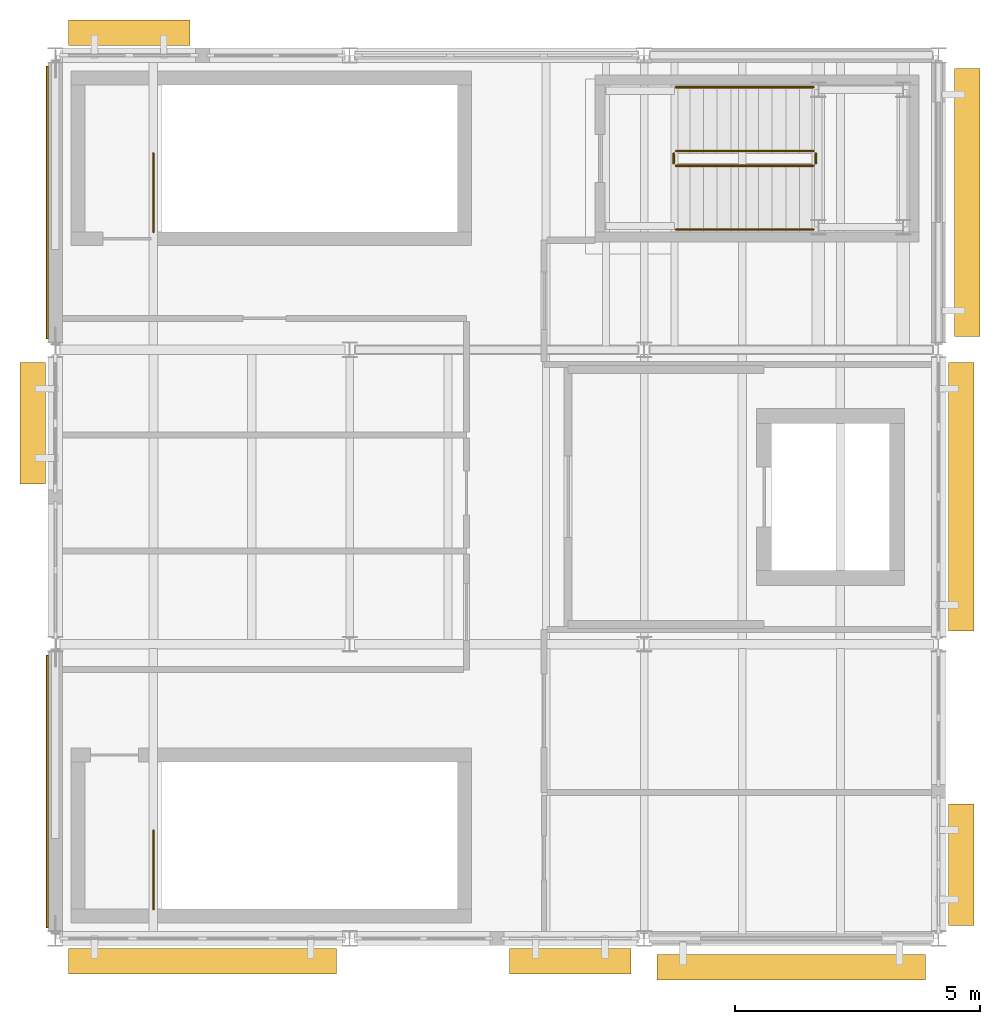
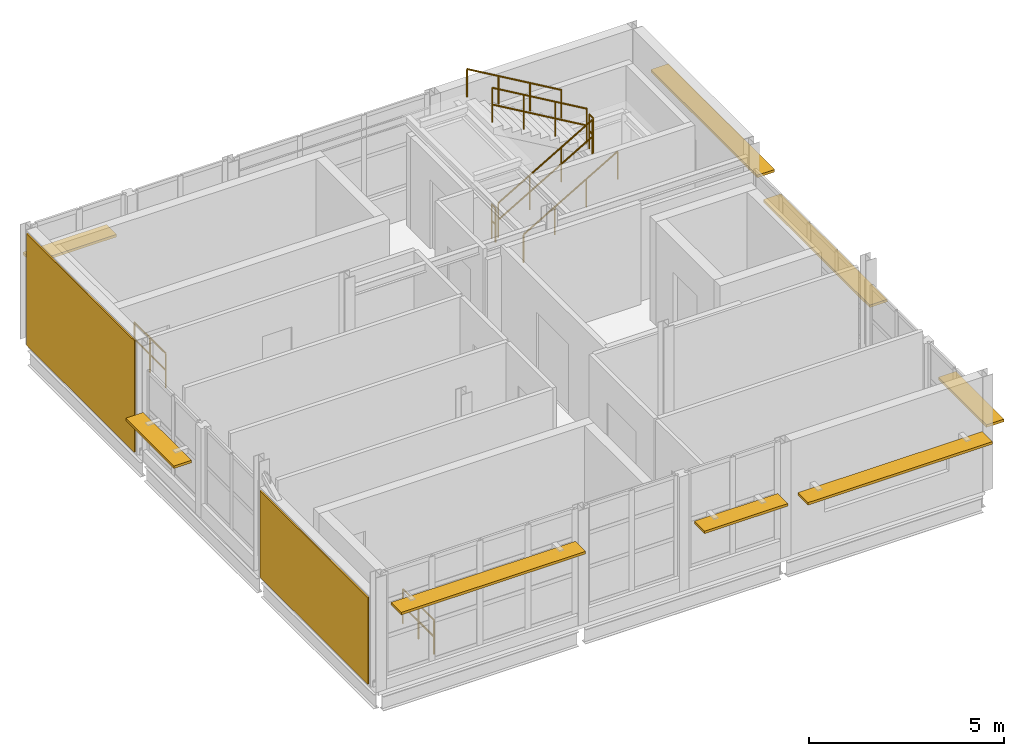
# One storey, part 8 of 8: 8 railings, 8 shading devices, 2 coverings.
"""IFC4 building model written with IfcOpenShell, lengths in metres."""

from ifc_helpers import new_model, si_unit, direction, frame, origin, origin_2d, place, context, subcontext, project, spatial, rectangle, circle, extrude, material, layer, layer_set, type_object, element, save


model = new_model("IFC4")

# Units and contexts
model_context = context("Model", 3, precision=1e-05, world=origin(), true_north=direction((0.0, 1.0)))
body_context = subcontext(model_context, "Body", "Model", "MODEL_VIEW")
ifc_project = project(units=[si_unit("LENGTHUNIT", "METRE"), si_unit("AREAUNIT", "SQUARE_METRE"), si_unit("VOLUMEUNIT", "CUBIC_METRE"), si_unit("PLANEANGLEUNIT", "RADIAN"), si_unit("MASSUNIT", "GRAM", prefix="KILO")], contexts=[model_context])

# Site, building, storey
site_placement = place(None, origin())
site = spatial("IfcSite", under=ifc_project, at=site_placement, CompositionType="ELEMENT")
building_placement = place(site_placement, origin())
building = spatial("IfcBuilding", under=site, at=building_placement, Name="Siltcreek Boulevard Central Fire Station", CompositionType="ELEMENT")
storey_placement = place(building_placement, frame((0.0, 0.0, 21.60009765625)))
storey = spatial("IfcBuildingStorey", under=building, at=storey_placement, Name="L06", CompositionType="ELEMENT", Elevation=21.60009765625)

# Coverings
ifc_material_1 = material(Name="Crisp white ribbed aluminum facade panel", Category="aluminium")
ifc_layer_1 = layer(ifc_material_1, 0.0400390625, Name="Crisp white ribbed aluminum facade panel")
ifc_layer_set_1 = layer_set([ifc_layer_1], Name="Crisp white ribbed aluminum facade panel")
covering_type = type_object("IfcCoveringType", Name="COV_CLAD_WHITE", PredefinedType="CLADDING", material=ifc_layer_set_1)
covering_1_placement = place(storey_placement, frame((41.8369140625, 97.199951171875, 0.0498046875), z_axis=(0.0, 0.0, 1.0), x_axis=(0.0, -1.0, 0.0)))
element("IfcCovering", 1, at=covering_1_placement, inside=storey, type_object=covering_type, Name="L06 V3 ventilated facade cladding panel CL-018", PredefinedType="CLADDING", context=body_context, shape_type="SweptSolid", body=[
    extrude(rectangle(XDim=5.550048828125, YDim=0.0400390625, at=origin_2d()), origin(), (0.0, 0.0, 1.0), 2.712890625),
])
covering_2_placement = place(storey_placement, frame((41.8369140625, 109.199951171875, 0.0498046875), z_axis=(0.0, 0.0, 1.0), x_axis=(0.0, -1.0, 0.0)))
element("IfcCovering", 2, at=covering_2_placement, inside=storey, type_object=covering_type, Name="L06 V3 ventilated facade cladding panel CL-019", PredefinedType="CLADDING", context=body_context, shape_type="SweptSolid", body=[
    extrude(rectangle(XDim=5.550048828125, YDim=0.0400390625, at=origin_2d()), origin(), (0.0, 0.0, 1.0), 3.5),
])

# Railings
ifc_material_2 = material(Name="Painted galvanized steel stair guard", Category="steel")
railing_type_1 = type_object("IfcRailingType", Name="RL_ST_GUARD", PredefinedType="BALUSTRADE", material=ifc_material_2)
for number, where, name in (
    (3, (44.0, 94.800048828125, 0.0), "L06 ST-V3A top well guard 1"),
    (4, (44.0, 108.60009765625, 0.0), "L06 ST-V3B top well guard 1"),
):
    element("IfcRailing", number, at=place(storey_placement, frame(where)), inside=storey, type_object=railing_type_1, Name=name, PredefinedType="BALUSTRADE", context=body_context, shape_type="SweptSolid", body=[
        extrude(circle(Radius=0.02392578125, at=origin_2d()), frame((0.0, 0.0, 1.076171875), z_axis=(0.0, 1.0, 0.0), x_axis=(-1.0, 0.0, 0.0)), (0.0, 0.0, 1.0), 1.599853515625),
        extrude(circle(Radius=0.02392578125, at=origin_2d()), frame((0.0, 0.0, 0.550048828125), z_axis=(0.0, 1.0, 0.0), x_axis=(-1.0, 0.0, 0.0)), (0.0, 0.0, 1.0), 1.599853515625),
        extrude(circle(Radius=0.02099609375, at=origin_2d()), origin(), (0.0, 0.0, 1.0), 1.052001953125),
        extrude(circle(Radius=0.02099609375, at=origin_2d()), frame((0.0, 0.7998046875, 0.0)), (0.0, 0.0, 1.0), 1.052001953125),
        extrude(circle(Radius=0.02099609375, at=origin_2d()), frame((0.0, 1.599853515625, 0.0)), (0.0, 0.0, 1.0), 1.052001953125),
    ])
railing_1_placement = place(storey_placement, frame((54.64990234375, 109.949951171875, 0.16357421875)))
element("IfcRailing", 5, at=railing_1_placement, inside=storey, type_object=railing_type_1, Name="L06 ST-V3-RF stair guard 1", PredefinedType="BALUSTRADE", context=body_context, shape_type="SweptSolid", body=[
    extrude(circle(Radius=0.02392578125, at=origin_2d()), frame((0.0, 0.0, 1.076171875), z_axis=(0.863393664356, 0.0, 0.504530851732), x_axis=(0.0, 1.0, 0.0)), (0.0, 0.0, 1.0), 3.2431640625),
    extrude(circle(Radius=0.02392578125, at=origin_2d()), frame((0.0, 0.0, 0.550048828125), z_axis=(0.863393664356, 0.0, 0.504530851732), x_axis=(0.0, 1.0, 0.0)), (0.0, 0.0, 1.0), 3.2431640625),
    extrude(circle(Radius=0.02099609375, at=origin_2d()), origin(), (0.0, 0.0, 1.0), 1.052001953125),
    extrude(circle(Radius=0.02099609375, at=origin_2d()), frame((0.933349609375, 0.0, 0.54541015625)), (0.0, 0.0, 1.0), 1.052001953125),
    extrude(circle(Radius=0.02099609375, at=origin_2d()), frame((1.86669921875, 0.0, 1.0908203125)), (0.0, 0.0, 1.0), 1.052001953125),
    extrude(circle(Radius=0.02099609375, at=origin_2d()), frame((2.800048828125, 0.0, 1.63623046875)), (0.0, 0.0, 1.0), 1.052001953125),
])
railing_2_placement = place(storey_placement, frame((57.5, 110.0, 1.7998046875)))
element("IfcRailing", 6, at=railing_2_placement, inside=storey, type_object=railing_type_1, Name="L06 ST-V3-RF stair guard 2", PredefinedType="BALUSTRADE", context=body_context, shape_type="SweptSolid", body=[
    extrude(circle(Radius=0.02392578125, at=origin_2d()), frame((0.0, 0.0, 1.076171875), z_axis=(0.0, 1.0, 0.0), x_axis=(-1.0, 0.0, 0.0)), (0.0, 0.0, 1.0), 0.199951171875),
    extrude(circle(Radius=0.02392578125, at=origin_2d()), frame((0.0, 0.0, 0.550048828125), z_axis=(0.0, 1.0, 0.0), x_axis=(-1.0, 0.0, 0.0)), (0.0, 0.0, 1.0), 0.199951171875),
    extrude(circle(Radius=0.02099609375, at=origin_2d()), origin(), (0.0, 0.0, 1.0), 1.052001953125),
    extrude(circle(Radius=0.02099609375, at=origin_2d()), frame((0.0, 0.199951171875, 0.0)), (0.0, 0.0, 1.0), 1.052001953125),
])
railing_3_placement = place(storey_placement, frame((57.449951171875, 110.25, 1.963623046875)))
element("IfcRailing", 7, at=railing_3_placement, inside=storey, type_object=railing_type_1, Name="L06 ST-V3-RF stair guard 3", PredefinedType="BALUSTRADE", context=body_context, shape_type="SweptSolid", body=[
    extrude(circle(Radius=0.02392578125, at=origin_2d()), frame((0.0, 0.0, 1.076171875), z_axis=(-0.863393664356, 0.0, 0.504530851732), x_axis=(0.0, -1.0, 0.0)), (0.0, 0.0, 1.0), 3.2431640625),
    extrude(circle(Radius=0.02392578125, at=origin_2d()), frame((0.0, 0.0, 0.550048828125), z_axis=(-0.863393664356, 0.0, 0.504530851732), x_axis=(0.0, -1.0, 0.0)), (0.0, 0.0, 1.0), 3.2431640625),
    extrude(circle(Radius=0.02099609375, at=origin_2d()), origin(), (0.0, 0.0, 1.0), 1.052001953125),
    extrude(circle(Radius=0.02099609375, at=origin_2d()), frame((-0.933349609375, 0.0, 0.54541015625)), (0.0, 0.0, 1.0), 1.052001953125),
    extrude(circle(Radius=0.02099609375, at=origin_2d()), frame((-1.86669921875, 0.0, 1.0908203125)), (0.0, 0.0, 1.0), 1.052001953125),
    extrude(circle(Radius=0.02099609375, at=origin_2d()), frame((-2.800048828125, 0.0, 1.63623046875)), (0.0, 0.0, 1.0), 1.052001953125),
])
railing_4_placement = place(storey_placement, frame((54.60009765625, 110.0, 0.0)))
element("IfcRailing", 8, at=railing_4_placement, inside=storey, type_object=railing_type_1, Name="L06 ST-V3-RF stair guard 4", PredefinedType="BALUSTRADE", context=body_context, shape_type="SweptSolid", body=[
    extrude(circle(Radius=0.02392578125, at=origin_2d()), frame((0.0, 0.0, 1.076171875), z_axis=(0.0, 1.0, 0.0), x_axis=(-1.0, 0.0, 0.0)), (0.0, 0.0, 1.0), 0.199951171875),
    extrude(circle(Radius=0.02392578125, at=origin_2d()), frame((0.0, 0.0, 0.550048828125), z_axis=(0.0, 1.0, 0.0), x_axis=(-1.0, 0.0, 0.0)), (0.0, 0.0, 1.0), 0.199951171875),
    extrude(circle(Radius=0.02099609375, at=origin_2d()), origin(), (0.0, 0.0, 1.0), 1.052001953125),
    extrude(circle(Radius=0.02099609375, at=origin_2d()), frame((0.0, 0.199951171875, 0.0)), (0.0, 0.0, 1.0), 1.052001953125),
])
ifc_material_3 = material(Name="Brushed stainless steel stair handrail", Category="steel")
railing_type_2 = type_object("IfcRailingType", Name="RL_ST_HAND", PredefinedType="HANDRAIL", material=ifc_material_3)
railing_5_placement = place(storey_placement, frame((54.64990234375, 108.64990234375, 0.16357421875)))
element("IfcRailing", 9, at=railing_5_placement, inside=storey, type_object=railing_type_2, Name="L06 ST-V3-RF stair handrail 1", PredefinedType="HANDRAIL", context=body_context, shape_type="SweptSolid", body=[
    extrude(circle(Radius=0.02392578125, at=origin_2d()), frame((0.0, 0.0, 0.8759765625), z_axis=(0.863393664356, 0.0, 0.504530851732), x_axis=(0.0, 1.0, 0.0)), (0.0, 0.0, 1.0), 3.2431640625),
    extrude(circle(Radius=0.02099609375, at=origin_2d()), origin(), (0.0, 0.0, 1.0), 0.851806640625),
    extrude(circle(Radius=0.02099609375, at=origin_2d()), frame((0.933349609375, 0.0, 0.54541015625)), (0.0, 0.0, 1.0), 0.851806640625),
    extrude(circle(Radius=0.02099609375, at=origin_2d()), frame((1.86669921875, 0.0, 1.0908203125)), (0.0, 0.0, 1.0), 0.851806640625),
    extrude(circle(Radius=0.02099609375, at=origin_2d()), frame((2.800048828125, 0.0, 1.63623046875)), (0.0, 0.0, 1.0), 0.851806640625),
])
railing_6_placement = place(storey_placement, frame((57.449951171875, 111.550048828125, 1.963623046875)))
element("IfcRailing", 10, at=railing_6_placement, inside=storey, type_object=railing_type_2, Name="L06 ST-V3-RF stair handrail 2", PredefinedType="HANDRAIL", context=body_context, shape_type="SweptSolid", body=[
    extrude(circle(Radius=0.02392578125, at=origin_2d()), frame((0.0, 0.0, 0.8759765625), z_axis=(-0.863393664356, 0.0, 0.504530851732), x_axis=(0.0, -1.0, 0.0)), (0.0, 0.0, 1.0), 3.2431640625),
    extrude(circle(Radius=0.02099609375, at=origin_2d()), origin(), (0.0, 0.0, 1.0), 0.851806640625),
    extrude(circle(Radius=0.02099609375, at=origin_2d()), frame((-0.933349609375, 0.0, 0.54541015625)), (0.0, 0.0, 1.0), 0.851806640625),
    extrude(circle(Radius=0.02099609375, at=origin_2d()), frame((-1.86669921875, 0.0, 1.0908203125)), (0.0, 0.0, 1.0), 0.851806640625),
    extrude(circle(Radius=0.02099609375, at=origin_2d()), frame((-2.800048828125, 0.0, 1.63623046875)), (0.0, 0.0, 1.0), 0.851806640625),
])

# Shading devices
ifc_material_4 = material(Name="Frey sage-green anodized tubular aluminum sunshade", Category="aluminium")
ifc_layer_2 = layer(ifc_material_4, 0.080078125, Name="Frey sage-green anodized tubular aluminum sunshade")
ifc_layer_set_2 = layer_set([ifc_layer_2], Name="Frey sage-green anodized tubular aluminum sunshade")
shading_device_type = type_object("IfcShadingDeviceType", Name="SHD_BRISE", PredefinedType="USERDEFINED", material=ifc_layer_set_2)
shading_device_1_placement = place(storey_placement, frame((45.0, 93.739990234375, 2.641357421875), z_axis=(0.0, 0.0, 1.0), x_axis=(1.0, 0.0, 0.0)))
element("IfcShadingDevice", 11, at=shading_device_1_placement, inside=storey, type_object=shading_device_type, Name="Anodized tubular aluminum brise-soleil SS-067", ObjectType="SUNSHADE", PredefinedType="USERDEFINED", context=body_context, shape_type="SweptSolid", body=[
    extrude(rectangle(XDim=5.469970703125, YDim=0.52001953125, at=origin_2d()), origin(), (0.0, 0.0, 1.0), 0.080078125),
])
shading_device_2_placement = place(storey_placement, frame((52.49755859375, 93.739990234375, 2.039794921875), z_axis=(0.0, 0.0, 1.0), x_axis=(1.0, 0.0, 0.0)))
element("IfcShadingDevice", 12, at=shading_device_2_placement, inside=storey, type_object=shading_device_type, Name="Anodized tubular aluminum brise-soleil SS-068", ObjectType="SUNSHADE", PredefinedType="USERDEFINED", context=body_context, shape_type="SweptSolid", body=[
    extrude(rectangle(XDim=2.47509765625, YDim=0.52001953125, at=origin_2d()), origin(), (0.0, 0.0, 1.0), 0.080078125),
])
shading_device_3_placement = place(storey_placement, frame((57.0, 93.614990234375, 1.9599609375), z_axis=(0.0, 0.0, 1.0), x_axis=(1.0, 0.0, 0.0)))
element("IfcShadingDevice", 13, at=shading_device_3_placement, inside=storey, type_object=shading_device_type, Name="Anodized tubular aluminum brise-soleil SS-069", ObjectType="SUNSHADE", PredefinedType="USERDEFINED", context=body_context, shape_type="SweptSolid", body=[
    extrude(rectangle(XDim=5.469970703125, YDim=0.52001953125, at=origin_2d()), origin(), (0.0, 0.0, 1.0), 0.080078125),
])
for number, where, z_axis, x_axis, name in (
    (14, (43.50244140625, 112.659912109375, 2.159912109375), (0.0, 0.0, 1.0), (-1.0, 0.0, 0.0), "Anodized tubular aluminum brise-soleil SS-070"),
    (15, (41.5400390625, 104.697509765625, 1.5263671875), (0.0, 0.0, 1.0), (0.0, -1.0, 0.0), "Anodized tubular aluminum brise-soleil SS-071"),
    (16, (60.4599609375, 95.702392578125, 1.646484375), (0.0, 0.0, 1.0), (0.0, 1.0, 0.0), "Anodized tubular aluminum brise-soleil SS-072"),
):
    element("IfcShadingDevice", number, at=place(storey_placement, frame(where, z_axis=z_axis, x_axis=x_axis)), inside=storey, type_object=shading_device_type, Name=name, ObjectType="SUNSHADE", PredefinedType="USERDEFINED", context=body_context, shape_type="SweptSolid", body=[
        extrude(rectangle(XDim=2.47509765625, YDim=0.52001953125, at=origin_2d()), origin(), (0.0, 0.0, 1.0), 0.080078125),
    ])
for number, where, z_axis, x_axis, name in (
    (17, (60.4599609375, 103.199951171875, 1.766357421875), (0.0, 0.0, 1.0), (0.0, 1.0, 0.0), "Anodized tubular aluminum brise-soleil SS-073"),
    (18, (60.5849609375, 109.199951171875, 2.159912109375), (0.0, 0.0, 1.0), (0.0, 1.0, 0.0), "Anodized tubular aluminum brise-soleil SS-074"),
):
    element("IfcShadingDevice", number, at=place(storey_placement, frame(where, z_axis=z_axis, x_axis=x_axis)), inside=storey, type_object=shading_device_type, Name=name, ObjectType="SUNSHADE", PredefinedType="USERDEFINED", context=body_context, shape_type="SweptSolid", body=[
        extrude(rectangle(XDim=5.469970703125, YDim=0.52001953125, at=origin_2d()), origin(), (0.0, 0.0, 1.0), 0.080078125),
    ])

save(model, "model.ifc")
